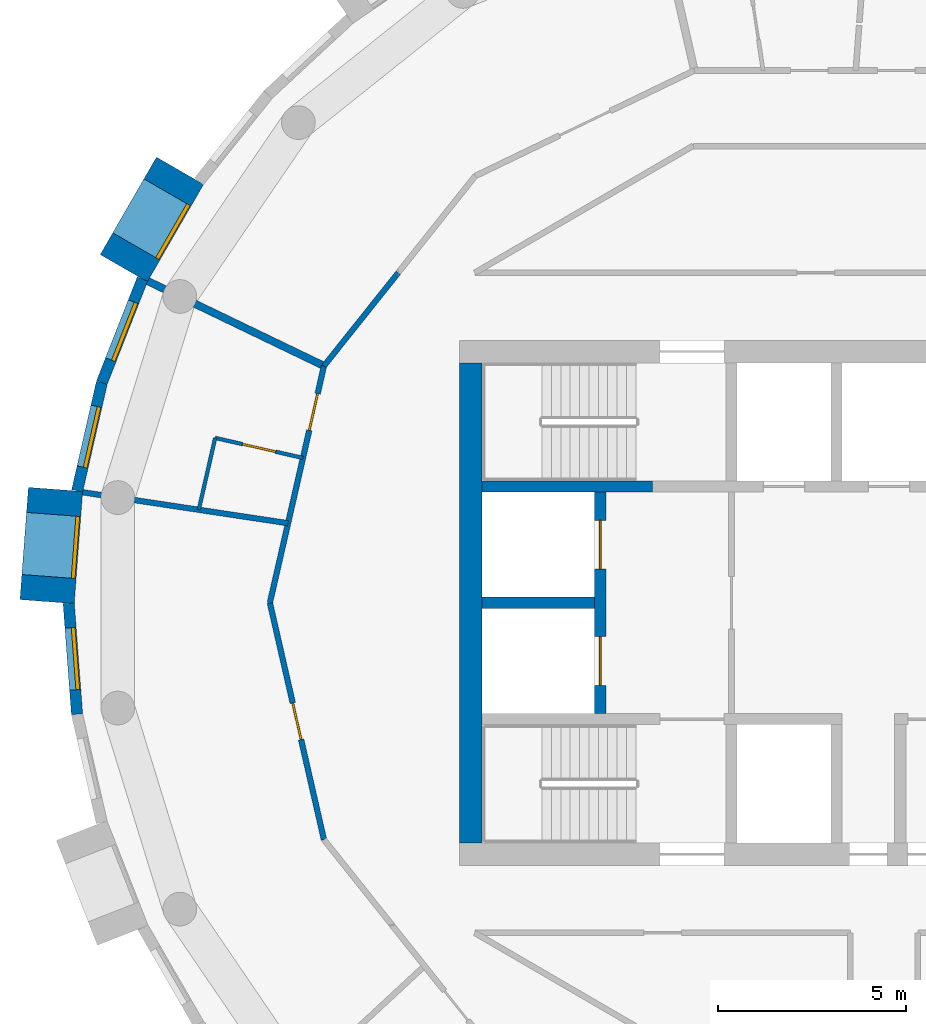
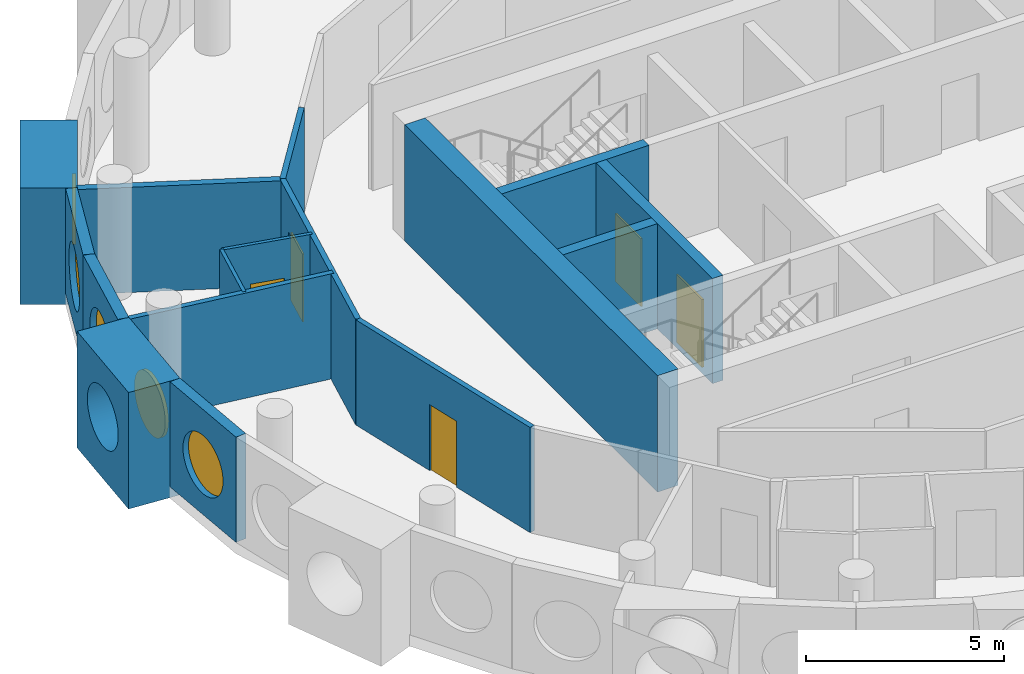
# One storey, part 6 of 13: 16 walls, 5 doors, 5 windows, 10 openings.
"""IFC4 building model written with IfcOpenShell, lengths in metres."""

from ifc_helpers import new_model, si_unit, direction, frame, frame_2d, origin, origin_2d, place, context, subcontext, project, spatial, rectangle, circle, extrude, material, layer, layer_set, type_object, element, fill, save


model = new_model("IFC4")

# Units and contexts
model_context = context("Model", 3, precision=1e-05, world=origin(), true_north=direction((0.0, 1.0)))
body_context = subcontext(model_context, "Body", "Model", "MODEL_VIEW")
ifc_project = project(units=[si_unit("LENGTHUNIT", "METRE"), si_unit("AREAUNIT", "SQUARE_METRE"), si_unit("VOLUMEUNIT", "CUBIC_METRE"), si_unit("PLANEANGLEUNIT", "RADIAN"), si_unit("MASSUNIT", "GRAM", prefix="KILO")], contexts=[model_context])

# Site, building, storey
site_placement = place(None, origin())
site = spatial("IfcSite", under=ifc_project, at=site_placement, CompositionType="ELEMENT")
building_placement = place(site_placement, origin())
building = spatial("IfcBuilding", under=site, at=building_placement, Name="Tracery Tower", CompositionType="ELEMENT")
storey_placement = place(building_placement, frame((0.0, 0.0, 301.800048828125)))
storey = spatial("IfcBuildingStorey", under=building, at=storey_placement, Name="L78", CompositionType="ELEMENT", Elevation=301.800048828125)

# Wall
ifc_material_1 = material(Name="Concrete C40/50", Category="concrete")
ifc_layer_1 = layer(ifc_material_1, 0.60009765625)
ifc_layer_set_1 = layer_set([ifc_layer_1], Name="Core wall 600 C40")
wall_type_1 = type_object("IfcWallType", Name="Core wall 600 C40", PredefinedType="SOLIDWALL", material=ifc_layer_set_1)
wall_1_placement = place(storey_placement, frame((-9.199951171875, -6.39990234375, 0.0), z_axis=(0.0, 0.0, 1.0), x_axis=(0.0, 1.0, 0.0)))
element("IfcWall", 1, at=wall_1_placement, inside=storey, type_object=wall_type_1, Name="L78 outer W", PredefinedType="SOLIDWALL", context=body_context, shape_type="SweptSolid", body=[
    extrude(rectangle(XDim=12.7998046875, YDim=0.60009765625, at=frame_2d((6.39990234375, 0.0))), origin(), (0.0, 0.0, 1.0), 3.599853515625),
])

# Wall, opening, window
ifc_material_2 = material(Name="Precast concrete C50/60", Category="concrete")
ifc_layer_2 = layer(ifc_material_2, 1.449951171875)
ifc_layer_set_2 = layer_set([ifc_layer_2], Name="Deep-set bay unit 3000 x 3600, slab edge 350")
wall_type_2 = type_object("IfcWallType", Name="Deep-set bay unit 3000 x 3600, slab edge 350", PredefinedType="ELEMENTEDWALL", material=ifc_layer_set_2)
wall_2_placement = place(storey_placement, frame((-16.952392578125, 11.51953125, -0.35009765625), z_axis=(0.0, 0.0, 1.0), x_axis=(-0.499990139034, -0.866031096941, 0.0)))
wall_2 = element("IfcWall", 2, at=wall_2_placement, inside=storey, type_object=wall_type_2, Name="Deep-set bay unit 18 at L78", PredefinedType="ELEMENTEDWALL", context=body_context, shape_type="SweptSolid", body=[
    extrude(rectangle(XDim=3.0, YDim=1.449951171875, at=frame_2d((1.5, 0.0))), origin(), (0.0, 0.0, 1.0), 3.60009765625),
])
opening_1_placement = place(wall_2_placement, frame((1.5, 0.0, 1.89990234375)))
opening_1 = element("IfcOpeningElement", 3, at=opening_1_placement, cuts=wall_2, Name="Opening WN1", PredefinedType="OPENING", context=body_context, shape_type="SweptSolid", body=[
    extrude(circle(Radius=0.9000244140625, at=origin_2d()), frame((0.0, 0.73486328125, 0.0), z_axis=(0.0, -1.0, 0.0), x_axis=(1.0, 0.0, 0.0)), (0.0, 0.0, 1.0), 1.469970703125),
])
ifc_material_3 = material(Name="Aluminium frame with tinted double glazing", Category="aluminium")
window_type = type_object("IfcWindowType", Name="Round window 1800", PartitioningType="SINGLE_PANEL", PredefinedType="WINDOW", material=ifc_material_3)
window_1_placement = place(opening_1_placement, origin())
window_1 = element("IfcWindow", 4, at=window_1_placement, inside=storey, type_object=window_type, Name="Round window 18 at L78", OverallHeight=1.800048828125, OverallWidth=1.800048828125, PartitioningType="SINGLE_PANEL", PredefinedType="WINDOW", context=body_context, shape_type="SweptSolid", body=[
    extrude(circle(Radius=0.9000244140625, at=origin_2d()), frame((0.0, 0.69482421875, 0.0), z_axis=(0.0, -1.0, 0.0), x_axis=(1.0, 0.0, 0.0)), (0.0, 0.0, 1.0), 0.10009765625),
])
fill(opening_1, window_1)

wall_3_placement = place(storey_placement, frame((-20.271728515625, 3.0234375, -0.35009765625), z_axis=(0.0, 0.0, 1.0), x_axis=(-0.074785902127, -0.997199613339, 0.0)))
wall_3 = element("IfcWall", 5, at=wall_3_placement, inside=storey, type_object=wall_type_2, Name="Deep-set bay unit 21 at L78", PredefinedType="ELEMENTEDWALL", context=body_context, shape_type="SweptSolid", body=[
    extrude(rectangle(XDim=3.0, YDim=1.449951171875, at=frame_2d((1.5, 0.0))), origin(), (0.0, 0.0, 1.0), 3.60009765625),
])
opening_2_placement = place(wall_3_placement, frame((1.5, 0.0, 1.89990234375)))
opening_2 = element("IfcOpeningElement", 6, at=opening_2_placement, cuts=wall_3, Name="Opening WN1", PredefinedType="OPENING", context=body_context, shape_type="SweptSolid", body=[
    extrude(circle(Radius=0.9000244140625, at=origin_2d()), frame((0.0, 0.73486328125, 0.0), z_axis=(0.0, -1.0, 0.0), x_axis=(1.0, 0.0, 0.0)), (0.0, 0.0, 1.0), 1.469970703125),
])
window_2_placement = place(opening_2_placement, origin())
window_2 = element("IfcWindow", 7, at=window_2_placement, inside=storey, type_object=window_type, Name="Round window 21 at L78", OverallHeight=1.800048828125, OverallWidth=1.800048828125, PartitioningType="SINGLE_PANEL", PredefinedType="WINDOW", context=body_context, shape_type="SweptSolid", body=[
    extrude(circle(Radius=0.9000244140625, at=origin_2d()), frame((0.0, 0.69482421875, 0.0), z_axis=(0.0, -1.0, 0.0), x_axis=(1.0, 0.0, 0.0)), (0.0, 0.0, 1.0), 0.10009765625),
])
fill(opening_2, window_2)

ifc_material_4 = material(Name="Precast concrete C50/60", Category="concrete")
ifc_layer_3 = layer(ifc_material_4, 0.300048828125)
ifc_layer_set_3 = layer_set([ifc_layer_3], Name="Facade panel 3000 x 3250")
wall_type_3 = type_object("IfcWallType", Name="Facade panel 3000 x 3250", PredefinedType="SOLIDWALL", material=ifc_layer_set_3)
wall_4_placement = place(storey_placement, frame((-17.95458984375, 8.62939453125, 0.0), z_axis=(0.0, 0.0, 1.0), x_axis=(-0.36530043032, -0.930889679612, 0.0)))
wall_4 = element("IfcWall", 8, at=wall_4_placement, inside=storey, type_object=wall_type_3, Name="Facade panel 19 at L78", PredefinedType="SOLIDWALL", context=body_context, shape_type="SweptSolid", body=[
    extrude(rectangle(XDim=2.9619140625, YDim=0.300048828125, at=frame_2d((1.48095703125, 0.0))), origin(), (0.0, 0.0, 1.0), 3.25),
])
opening_3_placement = place(wall_4_placement, frame((1.48095703125, 0.0, 1.5498046875)))
opening_3 = element("IfcOpeningElement", 9, at=opening_3_placement, cuts=wall_4, Name="Opening WN1", PredefinedType="OPENING", context=body_context, shape_type="SweptSolid", body=[
    extrude(circle(Radius=0.9000244140625, at=origin_2d()), frame((0.0, 0.159912109375, 0.0), z_axis=(0.0, -1.0, 0.0), x_axis=(1.0, 0.0, 0.0)), (0.0, 0.0, 1.0), 0.320068359375),
])
window_3_placement = place(opening_3_placement, origin())
window_3 = element("IfcWindow", 10, at=window_3_placement, inside=storey, type_object=window_type, Name="Round window 19 at L78", OverallHeight=1.800048828125, OverallWidth=1.800048828125, PartitioningType="SINGLE_PANEL", PredefinedType="WINDOW", context=body_context, shape_type="SweptSolid", body=[
    extrude(circle(Radius=0.9000244140625, at=origin_2d()), frame((0.0, 0.1201171875, 0.0), z_axis=(0.0, -1.0, 0.0), x_axis=(1.0, 0.0, 0.0)), (0.0, 0.0, 1.0), 0.10009765625),
])
fill(opening_3, window_3)

wall_5_placement = place(storey_placement, frame((-19.03662109375, 5.8720703125, 0.0), z_axis=(0.0, 0.0, 1.0), x_axis=(-0.222529389789, -0.974925982155, 0.0)))
wall_5 = element("IfcWall", 11, at=wall_5_placement, inside=storey, type_object=wall_type_3, Name="Facade panel 20 at L78", PredefinedType="SOLIDWALL", context=body_context, shape_type="SweptSolid", body=[
    extrude(rectangle(XDim=2.962158203125, YDim=0.300048828125, at=frame_2d((1.48095703125, 0.0))), origin(), (0.0, 0.0, 1.0), 3.25),
])
opening_4_placement = place(wall_5_placement, frame((1.48095703125, 0.0, 1.5498046875)))
opening_4 = element("IfcOpeningElement", 12, at=opening_4_placement, cuts=wall_5, Name="Opening WN1", PredefinedType="OPENING", context=body_context, shape_type="SweptSolid", body=[
    extrude(circle(Radius=0.9000244140625, at=origin_2d()), frame((0.0, 0.159912109375, 0.0), z_axis=(0.0, -1.0, 0.0), x_axis=(1.0, 0.0, 0.0)), (0.0, 0.0, 1.0), 0.320068359375),
])
window_4_placement = place(opening_4_placement, origin())
window_4 = element("IfcWindow", 13, at=window_4_placement, inside=storey, type_object=window_type, Name="Round window 20 at L78", OverallHeight=1.800048828125, OverallWidth=1.800048828125, PartitioningType="SINGLE_PANEL", PredefinedType="WINDOW", context=body_context, shape_type="SweptSolid", body=[
    extrude(circle(Radius=0.9000244140625, at=origin_2d()), frame((0.0, 0.1201171875, 0.0), z_axis=(0.0, -1.0, 0.0), x_axis=(1.0, 0.0, 0.0)), (0.0, 0.0, 1.0), 0.10009765625),
])
fill(opening_4, window_4)

wall_6_placement = place(storey_placement, frame((-19.920654296875, -0.01513671875, 0.0), z_axis=(0.0, 0.0, 1.0), x_axis=(0.07474897196, -0.997202382263, 0.0)))
wall_6 = element("IfcWall", 14, at=wall_6_placement, inside=storey, type_object=wall_type_3, Name="Facade panel 22 at L78", PredefinedType="SOLIDWALL", context=body_context, shape_type="SweptSolid", body=[
    extrude(rectangle(XDim=2.96240234375, YDim=0.300048828125, at=frame_2d((1.481201171875, 0.0))), origin(), (0.0, 0.0, 1.0), 3.25),
])
opening_5_placement = place(wall_6_placement, frame((1.48095703125, 0.0, 1.5498046875)))
opening_5 = element("IfcOpeningElement", 15, at=opening_5_placement, cuts=wall_6, Name="Opening WN1", PredefinedType="OPENING", context=body_context, shape_type="SweptSolid", body=[
    extrude(circle(Radius=0.9000244140625, at=origin_2d()), frame((0.0, 0.159912109375, 0.0), z_axis=(0.0, -1.0, 0.0), x_axis=(1.0, 0.0, 0.0)), (0.0, 0.0, 1.0), 0.320068359375),
])
window_5_placement = place(opening_5_placement, origin())
window_5 = element("IfcWindow", 16, at=window_5_placement, inside=storey, type_object=window_type, Name="Round window 22 at L78", OverallHeight=1.800048828125, OverallWidth=1.800048828125, PartitioningType="SINGLE_PANEL", PredefinedType="WINDOW", context=body_context, shape_type="SweptSolid", body=[
    extrude(circle(Radius=0.9000244140625, at=origin_2d()), frame((0.0, 0.1201171875, 0.0), z_axis=(0.0, -1.0, 0.0), x_axis=(1.0, 0.0, 0.0)), (0.0, 0.0, 1.0), 0.10009765625),
])
fill(opening_5, window_5)

# Wall, opening, door
ifc_material_5 = material(Name="Plasterboard on steel studs", Category="steel")
ifc_layer_4 = layer(ifc_material_5, 0.10009765625)
ifc_layer_set_4 = layer_set([ifc_layer_4], Name="Partition 100 wet wall")
wall_type_4 = type_object("IfcWallType", Name="Partition 100 wet wall", PredefinedType="PARTITIONING", material=ifc_layer_set_4)
wall_7_placement = place(storey_placement, frame((-16.014892578125, 4.39599609375, 0.0), z_axis=(0.0, 0.0, 1.0), x_axis=(0.97493862442, -0.222473995368, 0.0)))
wall_7 = element("IfcWall", 17, at=wall_7_placement, inside=storey, type_object=wall_type_4, Name="Wet wall RC7-057", PredefinedType="PARTITIONING", context=body_context, shape_type="SweptSolid", body=[
    extrude(rectangle(XDim=2.39990234375, YDim=0.10009765625, at=frame_2d((1.199951171875, 0.0))), origin(), (0.0, 0.0, 1.0), 3.25),
])
opening_6_placement = place(wall_7_placement, frame((0.750244140625, 0.0, 0.0)))
opening_6 = element("IfcOpeningElement", 18, at=opening_6_placement, cuts=wall_7, Name="Opening RC7-12", PredefinedType="OPENING", context=body_context, shape_type="SweptSolid", body=[
    extrude(rectangle(XDim=0.89990234375, YDim=2.0400390625, at=frame_2d((0.449951171875, 1.02001953125))), frame((0.0, 0.050048828125, 0.0), z_axis=(0.0, -1.0, 0.0), x_axis=(1.0, 0.0, 0.0)), (0.0, 0.0, 1.0), 0.10009765625),
])
ifc_material_6 = material(Name="Timber door leaf", Category="wood")
door_type_1 = type_object("IfcDoorType", Name="Door en-suite 900", OperationType="NOTDEFINED", PredefinedType="DOOR", material=ifc_material_6)
door_1_placement = place(opening_6_placement, origin())
door_1 = element("IfcDoor", 19, at=door_1_placement, inside=storey, type_object=door_type_1, Name="En-suite door RC7-12", OperationType="SINGLE_SWING_LEFT", OverallHeight=2.0400390625, OverallWidth=0.89990234375, PredefinedType="DOOR", context=body_context, shape_type="SweptSolid", body=[
    extrude(rectangle(XDim=0.89990234375, YDim=2.0400390625, at=frame_2d((0.449951171875, 1.02001953125))), frame((0.0, 0.02490234375, 0.0), z_axis=(0.0, -1.0, 0.0), x_axis=(1.0, 0.0, 0.0)), (0.0, 0.0, 1.0), 0.050048828125),
])
fill(opening_6, door_1)

# Walls
wall_8_placement = place(storey_placement, frame((-16.451904296875, 2.47998046875, 0.0), z_axis=(0.0, 0.0, 1.0), x_axis=(0.22237276708, 0.974961718459, 0.0)))
element("IfcWall", 20, at=wall_8_placement, inside=storey, type_object=wall_type_4, Name="Wet wall RC7-058", PredefinedType="PARTITIONING", context=body_context, shape_type="SweptSolid", body=[
    extrude(rectangle(XDim=1.96533203125, YDim=0.10009765625, at=frame_2d((0.982666015625, 0.0))), origin(), (0.0, 0.0, 1.0), 3.25),
])
ifc_material_7 = material(Name="Plasterboard on steel studs", Category="steel")
ifc_layer_5 = layer(ifc_material_7, 0.14990234375)
ifc_layer_set_5 = layer_set([ifc_layer_5], Name="Partition 150 acoustic unit wall")
wall_type_5 = type_object("IfcWallType", Name="Partition 150 acoustic unit wall", PredefinedType="PARTITIONING", material=ifc_layer_set_5)
wall_9_placement = place(storey_placement, frame((-19.551025390625, 2.947021484375, 0.0), z_axis=(0.0, 0.0, 1.0), x_axis=(0.988837218495, -0.148999850064, 0.0)))
element("IfcWall", 21, at=wall_9_placement, inside=storey, type_object=wall_type_5, Name="Unit wall RC7-059", PredefinedType="PARTITIONING", context=body_context, shape_type="SweptSolid", body=[
    extrude(rectangle(XDim=5.539794921875, YDim=0.14990234375, at=frame_2d((2.77001953125, 0.0))), origin(), (0.0, 0.0, 1.0), 3.25),
])
ifc_material_8 = material(Name="Plasterboard on steel studs", Category="steel")
ifc_layer_6 = layer(ifc_material_8, 0.14990234375)
ifc_layer_set_6 = layer_set([ifc_layer_6], Name="Partition 150 corridor wall")
wall_type_6 = type_object("IfcWallType", Name="Partition 150 corridor wall", PredefinedType="PARTITIONING", material=ifc_layer_set_6)
wall_10_placement = place(storey_placement, frame((-13.114990234375, 6.31591796875, 0.0), z_axis=(0.0, 0.0, 1.0), x_axis=(0.623476099415, 0.781842409606, 0.0)))
element("IfcWall", 22, at=wall_10_placement, inside=storey, type_object=wall_type_6, Name="Corridor wall RC7-030", PredefinedType="PARTITIONING", context=body_context, shape_type="SweptSolid", body=[
    extrude(rectangle(XDim=3.17724609375, YDim=0.14990234375, at=frame_2d((1.588623046875, 0.0))), origin(), (0.0, 0.0, 1.0), 3.25),
])

# Wall, opening, door
wall_11_placement = place(storey_placement, frame((-14.556640625, 0.0, 0.0), z_axis=(0.0, 0.0, 1.0), x_axis=(0.222533159771, 0.974925121639, 0.0)))
wall_11 = element("IfcWall", 23, at=wall_11_placement, inside=storey, type_object=wall_type_6, Name="Corridor wall RC7-031", PredefinedType="PARTITIONING", context=body_context, shape_type="SweptSolid", body=[
    extrude(rectangle(XDim=6.478271484375, YDim=0.14990234375, at=frame_2d((3.2392578125, 0.0))), origin(), (0.0, 0.0, 1.0), 3.25),
])
opening_7_placement = place(wall_11_placement, frame((4.71826171875, 0.0, 0.0)))
opening_7 = element("IfcOpeningElement", 24, at=opening_7_placement, cuts=wall_11, Name="Opening RC7-13", PredefinedType="OPENING", context=body_context, shape_type="SweptSolid", body=[
    extrude(rectangle(XDim=1.0, YDim=2.10009765625, at=frame_2d((0.5, 1.050048828125))), frame((0.0, 0.074951171875, 0.0), z_axis=(0.0, -1.0, 0.0), x_axis=(1.0, 0.0, 0.0)), (0.0, 0.0, 1.0), 0.14990234375),
])
ifc_material_9 = material(Name="Timber door leaf", Category="wood")
door_type_2 = type_object("IfcDoorType", Name="Door unit entrance 1000", OperationType="NOTDEFINED", PredefinedType="DOOR", material=ifc_material_9)
door_2_placement = place(opening_7_placement, origin())
door_2 = element("IfcDoor", 25, at=door_2_placement, inside=storey, type_object=door_type_2, Name="Unit entrance door RC7-13", OperationType="SINGLE_SWING_RIGHT", OverallHeight=2.10009765625, OverallWidth=1.0, PredefinedType="DOOR", context=body_context, shape_type="SweptSolid", body=[
    extrude(rectangle(XDim=1.0, YDim=2.10009765625, at=frame_2d((0.5, 1.050048828125))), frame((0.0, 0.02490234375, 0.0), z_axis=(0.0, -1.0, 0.0), x_axis=(1.0, 0.0, 0.0)), (0.0, 0.0, 1.0), 0.050048828125),
])
fill(opening_7, door_2)

wall_12_placement = place(storey_placement, frame((-14.556884765625, 0.0, 0.0), z_axis=(0.0, 0.0, 1.0), x_axis=(0.222568978642, -0.97491694505, 0.0)))
wall_12 = element("IfcWall", 26, at=wall_12_placement, inside=storey, type_object=wall_type_6, Name="Corridor wall RC7-033", PredefinedType="PARTITIONING", context=body_context, shape_type="SweptSolid", body=[
    extrude(rectangle(XDim=6.478515625, YDim=0.14990234375, at=frame_2d((3.2392578125, 0.0))), origin(), (0.0, 0.0, 1.0), 3.25),
])
opening_8_placement = place(wall_12_placement, frame((2.739501953125, 0.0, 0.0)))
opening_8 = element("IfcOpeningElement", 27, at=opening_8_placement, cuts=wall_12, Name="Opening RC7-14", PredefinedType="OPENING", context=body_context, shape_type="SweptSolid", body=[
    extrude(rectangle(XDim=1.0, YDim=2.0400390625, at=frame_2d((0.5, 1.02001953125))), frame((0.0, 0.074951171875, 0.0), z_axis=(0.0, -1.0, 0.0), x_axis=(1.0, 0.0, 0.0)), (0.0, 0.0, 1.0), 0.14990234375),
])
ifc_material_10 = material(Name="Timber door leaf", Category="wood")
door_type_3 = type_object("IfcDoorType", Name="Door communal room 1000", OperationType="NOTDEFINED", PredefinedType="DOOR", material=ifc_material_10)
door_3_placement = place(opening_8_placement, origin())
door_3 = element("IfcDoor", 28, at=door_3_placement, inside=storey, type_object=door_type_3, Name="Communal room door RC7-14", OperationType="SINGLE_SWING_LEFT", OverallHeight=2.0400390625, OverallWidth=1.0, PredefinedType="DOOR", context=body_context, shape_type="SweptSolid", body=[
    extrude(rectangle(XDim=1.0, YDim=2.0400390625, at=frame_2d((0.5, 1.02001953125))), frame((0.0, 0.02490234375, 0.0), z_axis=(0.0, -1.0, 0.0), x_axis=(1.0, 0.0, 0.0)), (0.0, 0.0, 1.0), 0.050048828125),
])
fill(opening_8, door_3)

# Walls
ifc_material_11 = material(Name="Plasterboard on steel studs", Category="steel")
ifc_layer_7 = layer(ifc_material_11, 0.199951171875)
ifc_layer_set_7 = layer_set([ifc_layer_7], Name="Partition 200 compartment wall")
wall_type_7 = type_object("IfcWallType", Name="Partition 200 compartment wall", PredefinedType="PARTITIONING", material=ifc_layer_set_7)
wall_13_placement = place(storey_placement, frame((-17.81298828125, 8.577880859375, 0.0), z_axis=(0.0, 0.0, 1.0), x_axis=(0.901022681876, -0.433771975518, 0.0)))
element("IfcWall", 29, at=wall_13_placement, inside=storey, type_object=wall_type_7, Name="Compartment wall RC7-056", PredefinedType="PARTITIONING", context=body_context, shape_type="SweptSolid", body=[
    extrude(rectangle(XDim=5.214111328125, YDim=0.199951171875, at=frame_2d((2.60693359375, 0.0))), origin(), (0.0, 0.0, 1.0), 3.25),
])
ifc_material_12 = material(Name="Concrete C40/50", Category="concrete")
ifc_layer_8 = layer(ifc_material_12, 0.300048828125)
ifc_layer_set_8 = layer_set([ifc_layer_8], Name="Shaft wall 300 C40")
wall_type_8 = type_object("IfcWallType", Name="Shaft wall 300 C40", PredefinedType="SOLIDWALL", material=ifc_layer_set_8)
wall_14_placement = place(storey_placement, frame((-8.89990234375, 0.0, 0.0), z_axis=(0.0, 0.0, 1.0), x_axis=(1.0, 0.0, 0.0)))
element("IfcWall", 30, at=wall_14_placement, inside=storey, type_object=wall_type_8, Name="L78 FF split", PredefinedType="SOLIDWALL", context=body_context, shape_type="SweptSolid", body=[
    extrude(rectangle(XDim=3.0, YDim=0.300048828125, at=frame_2d((1.5, 0.0))), origin(), (0.0, 0.0, 1.0), 3.25),
])

# Wall, openings, doors
wall_15_placement = place(storey_placement, frame((-5.75, -2.949951171875, 0.0), z_axis=(0.0, 0.0, 1.0), x_axis=(0.0, 1.0, 0.0)))
wall_15 = element("IfcWall", 31, at=wall_15_placement, inside=storey, type_object=wall_type_8, Name="L78 FF doors", PredefinedType="SOLIDWALL", context=body_context, shape_type="SweptSolid", body=[
    extrude(rectangle(XDim=5.89990234375, YDim=0.300048828125, at=frame_2d((2.949951171875, 0.0))), origin(), (0.0, 0.0, 1.0), 3.25),
])
opening_9_placement = place(wall_15_placement, frame((0.75, 0.0, 0.0)))
opening_9 = element("IfcOpeningElement", 32, at=opening_9_placement, cuts=wall_15, Name="Opening KD54", PredefinedType="OPENING", context=body_context, shape_type="SweptSolid", body=[
    extrude(rectangle(XDim=1.300048828125, YDim=2.10009765625, at=frame_2d((0.64990234375, 1.050048828125))), frame((0.0, 0.14990234375, 0.0), z_axis=(0.0, -1.0, 0.0), x_axis=(1.0, 0.0, 0.0)), (0.0, 0.0, 1.0), 0.300048828125),
])
opening_10_placement = place(wall_15_placement, frame((3.85009765625, 0.0, 0.0)))
opening_10 = element("IfcOpeningElement", 33, at=opening_10_placement, cuts=wall_15, Name="Opening KD55", PredefinedType="OPENING", context=body_context, shape_type="SweptSolid", body=[
    extrude(rectangle(XDim=1.300048828125, YDim=2.10009765625, at=frame_2d((0.64990234375, 1.050048828125))), frame((0.0, 0.14990234375, 0.0), z_axis=(0.0, -1.0, 0.0), x_axis=(1.0, 0.0, 0.0)), (0.0, 0.0, 1.0), 0.300048828125),
])
ifc_material_13 = material(Name="Steel fire door", Category="steel")
door_type_4 = type_object("IfcDoorType", Name="Landing door FF 1300", OperationType="NOTDEFINED", PredefinedType="DOOR", material=ifc_material_13)
door_4_placement = place(opening_9_placement, origin())
door_4 = element("IfcDoor", 34, at=door_4_placement, inside=storey, type_object=door_type_4, Name="Landing door FF1", OperationType="SLIDING_TO_LEFT", OverallHeight=2.10009765625, OverallWidth=1.300048828125, PredefinedType="DOOR", context=body_context, shape_type="SweptSolid", body=[
    extrude(rectangle(XDim=1.300048828125, YDim=2.10009765625, at=frame_2d((0.64990234375, 1.050048828125))), frame((0.0, 0.02490234375, 0.0), z_axis=(0.0, -1.0, 0.0), x_axis=(1.0, 0.0, 0.0)), (0.0, 0.0, 1.0), 0.050048828125),
])
fill(opening_9, door_4)
door_5_placement = place(opening_10_placement, origin())
door_5 = element("IfcDoor", 35, at=door_5_placement, inside=storey, type_object=door_type_4, Name="Landing door FF2", OperationType="SLIDING_TO_RIGHT", OverallHeight=2.10009765625, OverallWidth=1.300048828125, PredefinedType="DOOR", context=body_context, shape_type="SweptSolid", body=[
    extrude(rectangle(XDim=1.300048828125, YDim=2.10009765625, at=frame_2d((0.64990234375, 1.050048828125))), frame((0.0, 0.02490234375, 0.0), z_axis=(0.0, -1.0, 0.0), x_axis=(1.0, 0.0, 0.0)), (0.0, 0.0, 1.0), 0.050048828125),
])
fill(opening_10, door_5)

# Wall
ifc_material_14 = material(Name="Concrete C40/50", Category="concrete")
ifc_layer_9 = layer(ifc_material_14, 0.300048828125)
ifc_layer_set_9 = layer_set([ifc_layer_9], Name="Stair wall 300 C40")
wall_type_9 = type_object("IfcWallType", Name="Stair wall 300 C40", PredefinedType="SOLIDWALL", material=ifc_layer_set_9)
wall_16_placement = place(storey_placement, frame((-8.89990234375, 3.10009765625, 0.0), z_axis=(0.0, 0.0, 1.0), x_axis=(1.0, 0.0, 0.0)))
element("IfcWall", 36, at=wall_16_placement, inside=storey, type_object=wall_type_9, Name="L78 row N W", PredefinedType="SOLIDWALL", context=body_context, shape_type="SweptSolid", body=[
    extrude(rectangle(XDim=4.5498046875, YDim=0.300048828125, at=frame_2d((2.27490234375, 0.0))), origin(), (0.0, 0.0, 1.0), 3.25),
])

save(model, "model.ifc")
